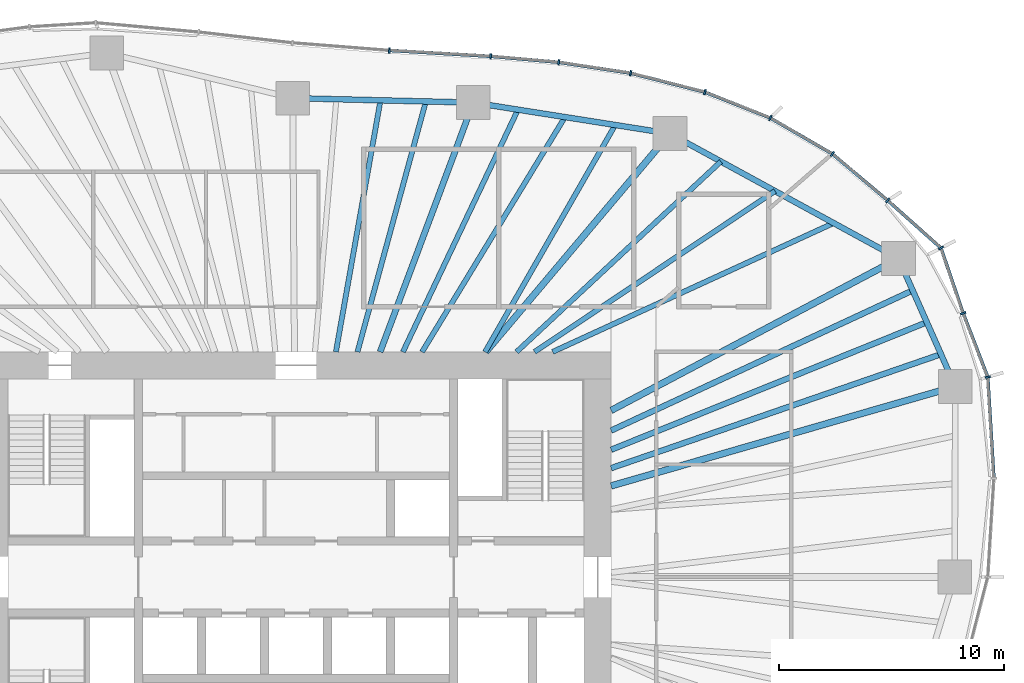
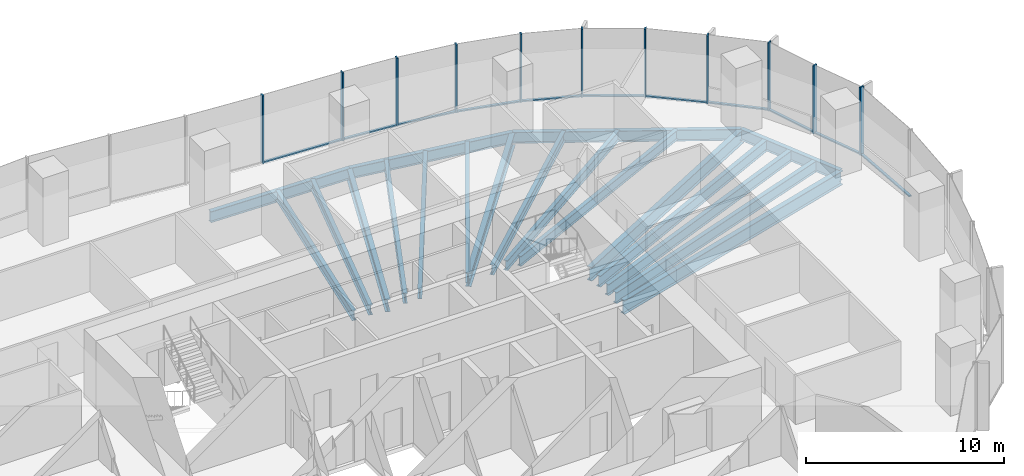
# One storey, part 6 of 18: 22 members, 19 beams, 5 elements without a shape of their own.
"""IFC4 building model written with IfcOpenShell, lengths in metres."""

from ifc_helpers import new_model, si_unit, direction, frame, origin, origin_2d, place, context, subcontext, project, spatial, rectangle, i_section, extrude, material, material_profile, profile_set, type_object, element, aggregate, save


model = new_model("IFC4")

# Units and contexts
model_context = context("Model", 3, precision=1e-05, world=origin(), true_north=direction((0.0, 1.0)))
body_context = subcontext(model_context, "Body", "Model", "MODEL_VIEW")
ifc_project = project(units=[si_unit("LENGTHUNIT", "METRE"), si_unit("AREAUNIT", "SQUARE_METRE"), si_unit("VOLUMEUNIT", "CUBIC_METRE"), si_unit("PLANEANGLEUNIT", "RADIAN"), si_unit("MASSUNIT", "GRAM", prefix="KILO")], contexts=[model_context])

# Site, building, storey
site_placement = place(None, origin())
site = spatial("IfcSite", under=ifc_project, at=site_placement, CompositionType="ELEMENT")
building_placement = place(site_placement, origin())
building = spatial("IfcBuilding", under=site, at=building_placement, Name="Ghaith Harvest Tower", CompositionType="ELEMENT")
storey_placement = place(building_placement, frame((0.0, 0.0, 130.199951171875)))
storey = spatial("IfcBuildingStorey", under=building, at=storey_placement, Name="L27", CompositionType="ELEMENT", Elevation=130.199951171875)

# Curtain wall, members
ifc_material_1 = material(Name="Black anodised aluminium and fritted glass", Category="aluminium")
curtain_wall_type = type_object("IfcCurtainWallType", Name="CW-L CURTAIN WALL", PredefinedType="NOTDEFINED", material=ifc_material_1)
curtain_wall_1_placement = place(storey_placement, origin())
curtain_wall_1 = element("IfcCurtainWall", 1, at=curtain_wall_1_placement, inside=storey, type_object=curtain_wall_type, Name="Curtain wall CW-L bay 02 L27", PredefinedType="NOTDEFINED")
ifc_material_2 = material(Name="Aluminium, black anodised", Category="aluminium")
ifc_material_profile_1 = material_profile(ifc_material_2, rectangle(XDim=0.080078125, YDim=0.239990234375, at=origin_2d()), Name="CW-L MULLION 80x240")
ifc_profile_set_1 = profile_set([ifc_material_profile_1], Name="Aluminium, black anodised")
member_type_1 = type_object("IfcMemberType", Name="CW-L MULLION 80x240", PredefinedType="MULLION", material=ifc_profile_set_1)
member_1_placement = place(storey_placement, frame((30.727294921875, 8.880859375, 0.0), z_axis=(0.0, 0.0, 1.0), x_axis=(-0.183070248196, 0.983099834313, 0.0)))
member_1 = element("IfcMember", 2, at=member_1_placement, type_object=member_type_1, Name="CW-L mullion 1 bay 02 L27", PredefinedType="MULLION", context=body_context, shape_type="SweptSolid", body=[
    extrude(rectangle(XDim=0.080078125, YDim=0.239990234375, at=origin_2d()), origin(), (0.0, 0.0, 1.0), 4.199951171875),
])
member_2_placement = place(storey_placement, frame((29.634521484375, 11.7158203125, 0.0), z_axis=(0.0, 0.0, 1.0), x_axis=(-0.340771198528, 0.940146260033, 0.0)))
member_2 = element("IfcMember", 3, at=member_2_placement, type_object=member_type_1, Name="CW-L mullion 2 bay 02 L27", PredefinedType="MULLION", context=body_context, shape_type="SweptSolid", body=[
    extrude(rectangle(XDim=0.080078125, YDim=0.239990234375, at=origin_2d()), origin(), (0.0, 0.0, 1.0), 4.199951171875),
])
member_3_placement = place(storey_placement, frame((28.64990234375, 14.61181640625, 0.0), z_axis=(0.0, 0.0, 1.0), x_axis=(-0.556324287652, 0.830965274225, 0.0)))
member_3 = element("IfcMember", 4, at=member_3_placement, type_object=member_type_1, Name="CW-L mullion 3 bay 02 L27", PredefinedType="MULLION", context=body_context, shape_type="SweptSolid", body=[
    extrude(rectangle(XDim=0.080078125, YDim=0.239990234375, at=origin_2d()), origin(), (0.0, 0.0, 1.0), 4.199951171875),
])

curtain_wall_2_placement = place(storey_placement, origin())
curtain_wall_2 = element("IfcCurtainWall", 5, at=curtain_wall_2_placement, inside=storey, type_object=curtain_wall_type, Name="Curtain wall CW-L bay 03 L27", PredefinedType="NOTDEFINED")
member_4_placement = place(storey_placement, frame((26.28076171875, 16.725341796875, 0.0), z_axis=(0.0, 0.0, 1.0), x_axis=(-0.755999423268, 0.654572281737, 0.0)))
member_4 = element("IfcMember", 6, at=member_4_placement, type_object=member_type_1, Name="CW-L mullion 1 bay 03 L27", PredefinedType="MULLION", context=body_context, shape_type="SweptSolid", body=[
    extrude(rectangle(XDim=0.080078125, YDim=0.239990234375, at=origin_2d()), origin(), (0.0, 0.0, 1.0), 4.199951171875),
])
member_5_placement = place(storey_placement, frame((23.82177734375, 18.792236328125, 0.0), z_axis=(0.0, 0.0, 1.0), x_axis=(-0.818228862146, 0.574892624018, 0.0)))
member_5 = element("IfcMember", 7, at=member_5_placement, type_object=member_type_1, Name="CW-L mullion 2 bay 03 L27", PredefinedType="MULLION", context=body_context, shape_type="SweptSolid", body=[
    extrude(rectangle(XDim=0.080078125, YDim=0.239990234375, at=origin_2d()), origin(), (0.0, 0.0, 1.0), 4.199951171875),
])
member_6_placement = place(storey_placement, frame((21.066162109375, 20.38916015625, 0.0), z_axis=(0.0, 0.0, 1.0), x_axis=(-0.899713343282, 0.436481270985, 0.0)))
member_6 = element("IfcMember", 8, at=member_6_placement, type_object=member_type_1, Name="CW-L mullion 3 bay 03 L27", PredefinedType="MULLION", context=body_context, shape_type="SweptSolid", body=[
    extrude(rectangle(XDim=0.080078125, YDim=0.239990234375, at=origin_2d()), origin(), (0.0, 0.0, 1.0), 4.199951171875),
])

curtain_wall_3_placement = place(storey_placement, origin())
curtain_wall_3 = element("IfcCurtainWall", 9, at=curtain_wall_3_placement, inside=storey, type_object=curtain_wall_type, Name="Curtain wall CW-L bay 04 L27", PredefinedType="NOTDEFINED")
member_7_placement = place(storey_placement, frame((18.162353515625, 21.537841796875, 0.0), z_axis=(0.0, 0.0, 1.0), x_axis=(-0.952152258113, 0.30562407852, 0.0)))
member_7 = element("IfcMember", 10, at=member_7_placement, type_object=member_type_1, Name="CW-L mullion 1 bay 04 L27", PredefinedType="MULLION", context=body_context, shape_type="SweptSolid", body=[
    extrude(rectangle(XDim=0.080078125, YDim=0.239990234375, at=origin_2d()), origin(), (0.0, 0.0, 1.0), 4.199951171875),
])
member_8_placement = place(storey_placement, frame((14.86474609375, 22.379638671875, 0.0), z_axis=(0.0, 0.0, 1.0), x_axis=(-0.979751952122, 0.200215165041, 0.0)))
member_8 = element("IfcMember", 11, at=member_8_placement, type_object=member_type_1, Name="CW-L mullion 2 bay 04 L27", PredefinedType="MULLION", context=body_context, shape_type="SweptSolid", body=[
    extrude(rectangle(XDim=0.080078125, YDim=0.239990234375, at=origin_2d()), origin(), (0.0, 0.0, 1.0), 4.199951171875),
])
member_9_placement = place(storey_placement, frame((11.672607421875, 22.864013671875, 0.0), z_axis=(0.0, 0.0, 1.0), x_axis=(-0.992800497873, 0.119779678673, 0.0)))
member_9 = element("IfcMember", 12, at=member_9_placement, type_object=member_type_1, Name="CW-L mullion 3 bay 04 L27", PredefinedType="MULLION", context=body_context, shape_type="SweptSolid", body=[
    extrude(rectangle(XDim=0.080078125, YDim=0.239990234375, at=origin_2d()), origin(), (0.0, 0.0, 1.0), 4.199951171875),
])

curtain_wall_4_placement = place(storey_placement, origin())
curtain_wall_4 = element("IfcCurtainWall", 13, at=curtain_wall_4_placement, inside=storey, type_object=curtain_wall_type, Name="Curtain wall CW-L bay 05 L27", PredefinedType="NOTDEFINED")
member_10_placement = place(storey_placement, frame((8.646728515625, 23.1298828125, 0.0), z_axis=(0.0, 0.0, 1.0), x_axis=(-0.997558767319, 0.069831982257, 0.0)))
member_10 = element("IfcMember", 14, at=member_10_placement, type_object=member_type_1, Name="CW-L mullion 1 bay 05 L27", PredefinedType="MULLION", context=body_context, shape_type="SweptSolid", body=[
    extrude(rectangle(XDim=0.080078125, YDim=0.239990234375, at=origin_2d()), origin(), (0.0, 0.0, 1.0), 4.199951171875),
])
member_11_placement = place(storey_placement, frame((4.146728515625, 23.390869140625, 0.0), z_axis=(0.0, 0.0, 1.0), x_axis=(-0.997689895047, 0.067932858925, 0.0)))
member_11 = element("IfcMember", 15, at=member_11_placement, type_object=member_type_1, Name="CW-L mullion 2 bay 05 L27", PredefinedType="MULLION", context=body_context, shape_type="SweptSolid", body=[
    extrude(rectangle(XDim=0.080078125, YDim=0.239990234375, at=origin_2d()), origin(), (0.0, 0.0, 1.0), 4.199951171875),
])

# Curtain wall, member
curtain_wall_5_placement = place(storey_placement, origin())
curtain_wall_5 = element("IfcCurtainWall", 16, at=curtain_wall_5_placement, inside=storey, type_object=curtain_wall_type, Name="Curtain wall CW-L bay 01 L27", PredefinedType="NOTDEFINED")
ifc_material_3 = material(Name="Aluminium, black anodised", Category="aluminium")
ifc_material_profile_2 = material_profile(ifc_material_3, rectangle(XDim=0.14990234375, YDim=0.080078125, at=origin_2d()), Name="CW-L TRANSOM 150x80")
ifc_profile_set_2 = profile_set([ifc_material_profile_2], Name="Aluminium, black anodised")
member_type_2 = type_object("IfcMemberType", Name="CW-L TRANSOM 150x80", PredefinedType="USERDEFINED", material=ifc_profile_set_2)
member_12_placement = place(storey_placement, frame((30.996337890625, 4.4296875, 0.0400390625), z_axis=(-0.060328261132, 0.99817859169, 0.0), x_axis=(-0.99817859169, -0.060328261132, 0.0)))
member_12 = element("IfcMember", 17, at=member_12_placement, type_object=member_type_2, Name="CW-L transom 2 bay 01 L27", ObjectType="TRANSOM", PredefinedType="USERDEFINED", context=body_context, shape_type="SweptSolid", body=[
    extrude(rectangle(XDim=0.14990234375, YDim=0.080078125, at=origin_2d()), origin(), (0.0, 0.0, 1.0), 4.419189453125),
])
aggregate(curtain_wall_5, [member_12])

# Member
member_13_placement = place(storey_placement, frame((30.712890625, 8.918212890625, 0.0400390625), z_axis=(-0.359637050526, 0.933092274048, 0.0), x_axis=(-0.933092274048, -0.359637050526, 0.0)))
member_13 = element("IfcMember", 18, at=member_13_placement, type_object=member_type_2, Name="CW-L transom 1 bay 02 L27", ObjectType="TRANSOM", PredefinedType="USERDEFINED", context=body_context, shape_type="SweptSolid", body=[
    extrude(rectangle(XDim=0.14990234375, YDim=0.080078125, at=origin_2d()), origin(), (0.0, 0.0, 1.0), 2.95849609375),
])

member_14_placement = place(storey_placement, frame((29.62158203125, 11.75390625, 0.0400390625), z_axis=(-0.321877752664, 0.946781237847, 0.0), x_axis=(-0.946781237847, -0.321877752664, 0.0)))
member_14 = element("IfcMember", 19, at=member_14_placement, type_object=member_type_2, Name="CW-L transom 2 bay 02 L27", ObjectType="TRANSOM", PredefinedType="USERDEFINED", context=body_context, shape_type="SweptSolid", body=[
    extrude(rectangle(XDim=0.14990234375, YDim=0.080078125, at=origin_2d()), origin(), (0.0, 0.0, 1.0), 2.978515625),
])

member_15_placement = place(storey_placement, frame((28.6201171875, 14.638427734375, 0.0400390625), z_axis=(-0.74622871112, 0.665689650438, 0.0), x_axis=(-0.665689650438, -0.74622871112, 0.0)))
member_15 = element("IfcMember", 20, at=member_15_placement, type_object=member_type_2, Name="CW-L transom 3 bay 02 L27", ObjectType="TRANSOM", PredefinedType="USERDEFINED", context=body_context, shape_type="SweptSolid", body=[
    extrude(rectangle(XDim=0.14990234375, YDim=0.080078125, at=origin_2d()), origin(), (0.0, 0.0, 1.0), 3.094970703125),
])

aggregate(curtain_wall_1, [member_1, member_13, member_2, member_14, member_3, member_15])

member_16_placement = place(storey_placement, frame((26.25, 16.7509765625, 0.0400390625), z_axis=(-0.765428400685, 0.643521066808, 0.0), x_axis=(-0.643521066808, -0.765428400685, 0.0)))
member_16 = element("IfcMember", 21, at=member_16_placement, type_object=member_type_2, Name="CW-L transom 1 bay 03 L27", ObjectType="TRANSOM", PredefinedType="USERDEFINED", context=body_context, shape_type="SweptSolid", body=[
    extrude(rectangle(XDim=0.14990234375, YDim=0.080078125, at=origin_2d()), origin(), (0.0, 0.0, 1.0), 3.132080078125),
])

member_17_placement = place(storey_placement, frame((23.787353515625, 18.812255859375, 0.0400390625), z_axis=(-0.865212673937, 0.50140505468, 0.0), x_axis=(-0.50140505468, -0.865212673937, 0.0)))
member_17 = element("IfcMember", 22, at=member_17_placement, type_object=member_type_2, Name="CW-L transom 2 bay 03 L27", ObjectType="TRANSOM", PredefinedType="USERDEFINED", context=body_context, shape_type="SweptSolid", body=[
    extrude(rectangle(XDim=0.14990234375, YDim=0.080078125, at=origin_2d()), origin(), (0.0, 0.0, 1.0), 3.10498046875),
])

member_18_placement = place(storey_placement, frame((21.029052734375, 20.40380859375, 0.0400390625), z_axis=(-0.929880954826, 0.367860584804, 0.0), x_axis=(-0.367860584804, -0.929880954826, 0.0)))
member_18 = element("IfcMember", 23, at=member_18_placement, type_object=member_type_2, Name="CW-L transom 3 bay 03 L27", ObjectType="TRANSOM", PredefinedType="USERDEFINED", context=body_context, shape_type="SweptSolid", body=[
    extrude(rectangle(XDim=0.14990234375, YDim=0.080078125, at=origin_2d()), origin(), (0.0, 0.0, 1.0), 3.04296875),
])

aggregate(curtain_wall_2, [member_4, member_16, member_5, member_17, member_6, member_18])

member_19_placement = place(storey_placement, frame((18.12353515625, 21.5478515625, 0.0400390625), z_axis=(-0.968942433805, 0.247286392614, 0.0), x_axis=(-0.247286392614, -0.968942433805, 0.0)))
member_19 = element("IfcMember", 24, at=member_19_placement, type_object=member_type_2, Name="CW-L transom 1 bay 04 L27", ObjectType="TRANSOM", PredefinedType="USERDEFINED", context=body_context, shape_type="SweptSolid", body=[
    extrude(rectangle(XDim=0.14990234375, YDim=0.080078125, at=origin_2d()), origin(), (0.0, 0.0, 1.0), 3.3232421875),
])

member_20_placement = place(storey_placement, frame((14.8251953125, 22.3857421875, 0.0400390625), z_axis=(-0.988680676153, 0.150035064572, 0.0), x_axis=(-0.150035064572, -0.988680676153, 0.0)))
member_20 = element("IfcMember", 25, at=member_20_placement, type_object=member_type_2, Name="CW-L transom 2 bay 04 L27", ObjectType="TRANSOM", PredefinedType="USERDEFINED", context=body_context, shape_type="SweptSolid", body=[
    extrude(rectangle(XDim=0.14990234375, YDim=0.080078125, at=origin_2d()), origin(), (0.0, 0.0, 1.0), 3.148681640625),
])

member_21_placement = place(storey_placement, frame((11.632568359375, 22.86767578125, 0.0400390625), z_axis=(-0.996171193061, 0.087423990507, 0.0), x_axis=(-0.087423990507, -0.996171193061, 0.0)))
member_21 = element("IfcMember", 26, at=member_21_placement, type_object=member_type_2, Name="CW-L transom 3 bay 04 L27", ObjectType="TRANSOM", PredefinedType="USERDEFINED", context=body_context, shape_type="SweptSolid", body=[
    extrude(rectangle(XDim=0.14990234375, YDim=0.080078125, at=origin_2d()), origin(), (0.0, 0.0, 1.0), 2.957275390625),
])

aggregate(curtain_wall_3, [member_7, member_19, member_8, member_20, member_9, member_21])

member_22_placement = place(storey_placement, frame((8.60693359375, 23.132080078125, 0.0400390625), z_axis=(-0.998319515187, 0.057949509028, 0.0), x_axis=(-0.057949509028, -0.998319515187, 0.0)))
member_22 = element("IfcMember", 27, at=member_22_placement, type_object=member_type_2, Name="CW-L transom 1 bay 05 L27", ObjectType="TRANSOM", PredefinedType="USERDEFINED", context=body_context, shape_type="SweptSolid", body=[
    extrude(rectangle(XDim=0.14990234375, YDim=0.080078125, at=origin_2d()), origin(), (0.0, 0.0, 1.0), 4.427734375),
])

aggregate(curtain_wall_4, [member_10, member_22, member_11])

# Beams
ifc_material_4 = material(Name="Steel ASTM A992 Grade 50", Category="steel")
ifc_material_profile_3 = material_profile(ifc_material_4, i_section(OverallWidth=0.25390625, OverallDepth=0.68408203125, WebThickness=0.012451171875, FlangeThickness=0.018798828125, at=origin_2d()), Name="W690X140")
ifc_profile_set_3 = profile_set([ifc_material_profile_3], Name="Steel ASTM A992 Grade 50")
beam_type_1 = type_object("IfcBeamType", Name="E690-140 W690X140", PredefinedType="SPANDREL", material=ifc_profile_set_3)
beam_1_placement = place(storey_placement, frame((29.285888671875, 8.464111328125, -0.511962890625), z_axis=(-0.405635615749, 0.914034872002, 0.0), x_axis=(-0.914034872002, -0.405635615749, 0.0)))
element("IfcBeam", 28, at=beam_1_placement, inside=storey, type_object=beam_type_1, Name="Edge beam E02 L27", PredefinedType="SPANDREL", context=body_context, shape_type="SweptSolid", body=[
    extrude(i_section(OverallWidth=0.25390625, OverallDepth=0.68408203125, WebThickness=0.012451171875, FlangeThickness=0.018798828125, at=origin_2d()), origin(), (0.0, 0.0, 1.0), 6.21728515625),
])
beam_2_placement = place(storey_placement, frame((26.763916015625, 14.14697265625, -0.511962890625), z_axis=(-0.877588218279, 0.479415184509, 0.0), x_axis=(-0.479415184509, -0.877588218279, 0.0)))
element("IfcBeam", 29, at=beam_2_placement, inside=storey, type_object=beam_type_1, Name="Edge beam E03 L27", PredefinedType="SPANDREL", context=body_context, shape_type="SweptSolid", body=[
    extrude(i_section(OverallWidth=0.25390625, OverallDepth=0.68408203125, WebThickness=0.012451171875, FlangeThickness=0.018798828125, at=origin_2d()), origin(), (0.0, 0.0, 1.0), 11.57275390625),
])
beam_3_placement = place(storey_placement, frame((16.60791015625, 19.695068359375, -0.511962890625), z_axis=(-0.987788485872, 0.155800857439, 0.0), x_axis=(-0.155800857439, -0.987788485872, 0.0)))
element("IfcBeam", 30, at=beam_3_placement, inside=storey, type_object=beam_type_1, Name="Edge beam E04 L27", PredefinedType="SPANDREL", context=body_context, shape_type="SweptSolid", body=[
    extrude(i_section(OverallWidth=0.25390625, OverallDepth=0.68408203125, WebThickness=0.012451171875, FlangeThickness=0.018798828125, at=origin_2d()), origin(), (0.0, 0.0, 1.0), 8.837890625),
])
beam_4_placement = place(storey_placement, frame((7.8779296875, 21.072021484375, -0.511962890625), z_axis=(-0.999692679676, 0.024790042413, 0.0), x_axis=(-0.024790042413, -0.999692679676, 0.0)))
element("IfcBeam", 31, at=beam_4_placement, inside=storey, type_object=beam_type_1, Name="Edge beam E05 L27", PredefinedType="SPANDREL", context=body_context, shape_type="SweptSolid", body=[
    extrude(i_section(OverallWidth=0.25390625, OverallDepth=0.68408203125, WebThickness=0.012451171875, FlangeThickness=0.018798828125, at=origin_2d()), origin(), (0.0, 0.0, 1.0), 8.0263671875),
])
ifc_material_5 = material(Name="Steel ASTM A992 Grade 50", Category="steel")
ifc_material_profile_4 = material_profile(ifc_material_5, i_section(OverallWidth=0.26806640625, OverallDepth=0.77001953125, WebThickness=0.015625, FlangeThickness=0.025390625, at=origin_2d()), Name="W760X196")
ifc_profile_set_4 = profile_set([ifc_material_profile_4], Name="Steel ASTM A992 Grade 50")
beam_type_2 = type_object("IfcBeamType", Name="G760-196 W760X196", PredefinedType="BEAM", material=ifc_profile_set_4)
beam_5_placement = place(storey_placement, frame((3.73828125, 10.0, -0.554931640625), z_axis=(0.350206582147, 0.936672488024, 0.0), x_axis=(-0.936672488024, 0.350206582147, 0.0)))
element("IfcBeam", 32, at=beam_5_placement, inside=storey, type_object=beam_type_2, Name="Radial girder G05 L27", PredefinedType="BEAM", context=body_context, shape_type="SweptSolid", body=[
    extrude(i_section(OverallWidth=0.26806640625, OverallDepth=0.77001953125, WebThickness=0.015625, FlangeThickness=0.025390625, at=origin_2d()), origin(), (0.0, 0.0, 1.0), 11.820556640625),
])
ifc_material_6 = material(Name="Steel ASTM A992 Grade 50", Category="steel")
ifc_material_profile_5 = material_profile(ifc_material_6, i_section(OverallWidth=0.2939453125, OverallDepth=0.85107421875, WebThickness=0.01611328125, FlangeThickness=0.02685546875, at=origin_2d()), Name="W840X226")
ifc_profile_set_5 = profile_set([ifc_material_profile_5], Name="Steel ASTM A992 Grade 50")
beam_type_3 = type_object("IfcBeamType", Name="G840-226 W840X226", PredefinedType="BEAM", material=ifc_profile_set_5)
beam_6_placement = place(storey_placement, frame((14.0, 4.04638671875, -0.595458984375), z_axis=(0.960683993303, 0.27764413376, 0.0), x_axis=(-0.27764413376, 0.960683993303, 0.0)))
element("IfcBeam", 33, at=beam_6_placement, inside=storey, type_object=beam_type_3, Name="Radial girder G02 L27", PredefinedType="BEAM", context=body_context, shape_type="SweptSolid", body=[
    extrude(i_section(OverallWidth=0.2939453125, OverallDepth=0.85107421875, WebThickness=0.01611328125, FlangeThickness=0.02685546875, at=origin_2d()), origin(), (0.0, 0.0, 1.0), 15.911376953125),
])
beam_7_placement = place(storey_placement, frame((14.0, 7.39990234375, -0.595458984375), z_axis=(0.884082663971, 0.467330550324, 0.0), x_axis=(-0.467330550324, 0.884082663971, 0.0)))
element("IfcBeam", 34, at=beam_7_placement, inside=storey, type_object=beam_type_3, Name="Radial girder G03 L27", PredefinedType="BEAM", context=body_context, shape_type="SweptSolid", body=[
    extrude(i_section(OverallWidth=0.2939453125, OverallDepth=0.85107421875, WebThickness=0.01611328125, FlangeThickness=0.02685546875, at=origin_2d()), origin(), (0.0, 0.0, 1.0), 14.4375),
])
beam_8_placement = place(storey_placement, frame((8.4326171875, 10.0, -0.595458984375), z_axis=(0.644644245772, 0.764482698557, 0.0), x_axis=(-0.764482698557, 0.644644245772, 0.0)))
element("IfcBeam", 35, at=beam_8_placement, inside=storey, type_object=beam_type_3, Name="Radial girder G04 L27", PredefinedType="BEAM", context=body_context, shape_type="SweptSolid", body=[
    extrude(i_section(OverallWidth=0.2939453125, OverallDepth=0.85107421875, WebThickness=0.01611328125, FlangeThickness=0.02685546875, at=origin_2d()), origin(), (0.0, 0.0, 1.0), 12.681884765625),
])
ifc_material_7 = material(Name="Steel ASTM A992 Grade 50", Category="steel")
ifc_material_profile_6 = material_profile(ifc_material_7, i_section(OverallWidth=0.22900390625, OverallDepth=0.612060546875, WebThickness=0.011962890625, FlangeThickness=0.01953125, at=origin_2d()), Name="W610X125")
ifc_profile_set_6 = profile_set([ifc_material_profile_6], Name="Steel ASTM A992 Grade 50")
beam_type_4 = type_object("IfcBeamType", Name="J610-125 W610X125", PredefinedType="JOIST", material=ifc_profile_set_6)
beam_9_placement = place(storey_placement, frame((11.39990234375, 10.0, -0.475830078125), z_axis=(0.909014022454, 0.416765529983, 0.0), x_axis=(-0.416765529983, 0.909014022454, 0.0)))
element("IfcBeam", 36, at=beam_9_placement, inside=storey, type_object=beam_type_4, Name="Joist J03.1 L27", PredefinedType="JOIST", context=body_context, shape_type="SweptSolid", body=[
    extrude(i_section(OverallWidth=0.22900390625, OverallDepth=0.612060546875, WebThickness=0.011962890625, FlangeThickness=0.01953125, at=origin_2d()), origin(), (0.0, 0.0, 1.0), 13.72998046875),
])
beam_10_placement = place(storey_placement, frame((10.60009765625, 10.0, -0.475830078125), z_axis=(0.831116486766, 0.556098359489, 0.0), x_axis=(-0.556098359489, 0.831116486766, 0.0)))
element("IfcBeam", 37, at=beam_10_placement, inside=storey, type_object=beam_type_4, Name="Joist J03.2 L27", PredefinedType="JOIST", context=body_context, shape_type="SweptSolid", body=[
    extrude(i_section(OverallWidth=0.22900390625, OverallDepth=0.612060546875, WebThickness=0.011962890625, FlangeThickness=0.01953125, at=origin_2d()), origin(), (0.0, 0.0, 1.0), 12.84716796875),
])
beam_11_placement = place(storey_placement, frame((9.800048828125, 10.0, -0.475830078125), z_axis=(0.731538123562, 0.681800538116, 0.0), x_axis=(-0.681800538116, 0.731538123562, 0.0)))
element("IfcBeam", 38, at=beam_11_placement, inside=storey, type_object=beam_type_4, Name="Joist J03.3 L27", PredefinedType="JOIST", context=body_context, shape_type="SweptSolid", body=[
    extrude(i_section(OverallWidth=0.22900390625, OverallDepth=0.612060546875, WebThickness=0.011962890625, FlangeThickness=0.01953125, at=origin_2d()), origin(), (0.0, 0.0, 1.0), 12.404052734375),
])
beam_12_placement = place(storey_placement, frame((8.39990234375, 10.0, -0.475830078125), z_axis=(0.497444212127, 0.867495968764, 0.0), x_axis=(-0.867495968764, 0.497444212127, 0.0)))
element("IfcBeam", 39, at=beam_12_placement, inside=storey, type_object=beam_type_4, Name="Joist J04.1 L27", PredefinedType="JOIST", context=body_context, shape_type="SweptSolid", body=[
    extrude(i_section(OverallWidth=0.22900390625, OverallDepth=0.612060546875, WebThickness=0.011962890625, FlangeThickness=0.01953125, at=origin_2d()), origin(), (0.0, 0.0, 1.0), 11.617431640625),
])
beam_13_placement = place(storey_placement, frame((5.60009765625, 10.0, -0.475830078125), z_axis=(0.519863845761, 0.854249133374, 0.0), x_axis=(-0.854249133374, 0.519863845761, 0.0)))
element("IfcBeam", 40, at=beam_13_placement, inside=storey, type_object=beam_type_4, Name="Joist J04.2 L27", PredefinedType="JOIST", context=body_context, shape_type="SweptSolid", body=[
    extrude(i_section(OverallWidth=0.22900390625, OverallDepth=0.612060546875, WebThickness=0.011962890625, FlangeThickness=0.01953125, at=origin_2d()), origin(), (0.0, 0.0, 1.0), 12.209716796875),
])
beam_14_placement = place(storey_placement, frame((4.75, 10.0, -0.475830078125), z_axis=(0.429069356877, 0.903271546651, 0.0), x_axis=(-0.903271546651, 0.429069356877, 0.0)))
element("IfcBeam", 41, at=beam_14_placement, inside=storey, type_object=beam_type_4, Name="Joist J04.3 L27", PredefinedType="JOIST", context=body_context, shape_type="SweptSolid", body=[
    extrude(i_section(OverallWidth=0.22900390625, OverallDepth=0.612060546875, WebThickness=0.011962890625, FlangeThickness=0.01953125, at=origin_2d()), origin(), (0.0, 0.0, 1.0), 11.911376953125),
])
beam_15_placement = place(storey_placement, frame((2.73095703125, 10.0, -0.475830078125), z_axis=(0.263455967932, 0.964671422279, 0.0), x_axis=(-0.964671422279, 0.263455967932, 0.0)))
element("IfcBeam", 42, at=beam_15_placement, inside=storey, type_object=beam_type_4, Name="Joist J05.1 L27", PredefinedType="JOIST", context=body_context, shape_type="SweptSolid", body=[
    extrude(i_section(OverallWidth=0.22900390625, OverallDepth=0.612060546875, WebThickness=0.011962890625, FlangeThickness=0.01953125, at=origin_2d()), origin(), (0.0, 0.0, 1.0), 11.53173828125),
])
beam_16_placement = place(storey_placement, frame((1.772705078125, 10.0, -0.475830078125), z_axis=(0.17455599258, 0.984647249249, 0.0), x_axis=(-0.984647249249, 0.17455599258, 0.0)))
element("IfcBeam", 43, at=beam_16_placement, inside=storey, type_object=beam_type_4, Name="Joist J05.2 L27", PredefinedType="JOIST", context=body_context, shape_type="SweptSolid", body=[
    extrude(i_section(OverallWidth=0.22900390625, OverallDepth=0.612060546875, WebThickness=0.011962890625, FlangeThickness=0.01953125, at=origin_2d()), origin(), (0.0, 0.0, 1.0), 11.3486328125),
])
ifc_material_8 = material(Name="Steel ASTM A992 Grade 50", Category="steel")
ifc_material_profile_7 = material_profile(ifc_material_8, i_section(OverallWidth=0.25390625, OverallDepth=0.68408203125, WebThickness=0.012451171875, FlangeThickness=0.018798828125, at=origin_2d()), Name="W690X140")
ifc_profile_set_7 = profile_set([ifc_material_profile_7], Name="Steel ASTM A992 Grade 50")
beam_type_5 = type_object("IfcBeamType", Name="J690-140 W690X140", PredefinedType="JOIST", material=ifc_profile_set_7)
beam_17_placement = place(storey_placement, frame((14.0, 4.835693359375, -0.511962890625), z_axis=(0.945204964965, 0.32647752481, 0.0), x_axis=(-0.32647752481, 0.945204964965, 0.0)))
element("IfcBeam", 44, at=beam_17_placement, inside=storey, type_object=beam_type_5, Name="Joist J02.1 L27", PredefinedType="JOIST", context=body_context, shape_type="SweptSolid", body=[
    extrude(i_section(OverallWidth=0.25390625, OverallDepth=0.68408203125, WebThickness=0.012451171875, FlangeThickness=0.018798828125, at=origin_2d()), origin(), (0.0, 0.0, 1.0), 15.499755859375),
])
beam_18_placement = place(storey_placement, frame((14.0, 5.653564453125, -0.511962890625), z_axis=(0.927247874511, 0.374448099495, 0.0), x_axis=(-0.374448099495, 0.927247874511, 0.0)))
element("IfcBeam", 45, at=beam_18_placement, inside=storey, type_object=beam_type_5, Name="Joist J02.2 L27", PredefinedType="JOIST", context=body_context, shape_type="SweptSolid", body=[
    extrude(i_section(OverallWidth=0.25390625, OverallDepth=0.68408203125, WebThickness=0.012451171875, FlangeThickness=0.018798828125, at=origin_2d()), origin(), (0.0, 0.0, 1.0), 15.12060546875),
])
beam_19_placement = place(storey_placement, frame((14.0, 6.506103515625, -0.511962890625), z_axis=(0.906865717917, 0.42141970726, 0.0), x_axis=(-0.42141970726, 0.906865717917, 0.0)))
element("IfcBeam", 46, at=beam_19_placement, inside=storey, type_object=beam_type_5, Name="Joist J02.3 L27", PredefinedType="JOIST", context=body_context, shape_type="SweptSolid", body=[
    extrude(i_section(OverallWidth=0.25390625, OverallDepth=0.68408203125, WebThickness=0.012451171875, FlangeThickness=0.018798828125, at=origin_2d()), origin(), (0.0, 0.0, 1.0), 14.768310546875),
])

save(model, "model.ifc")
